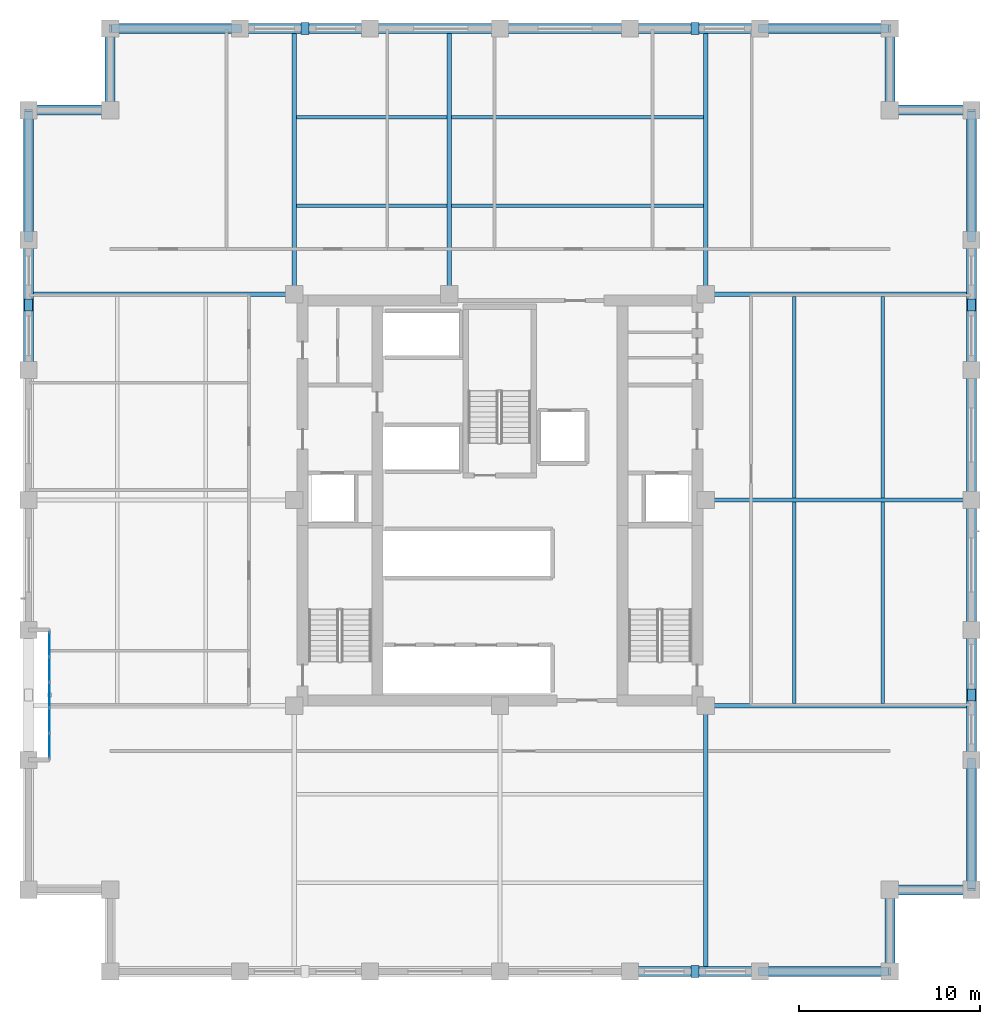
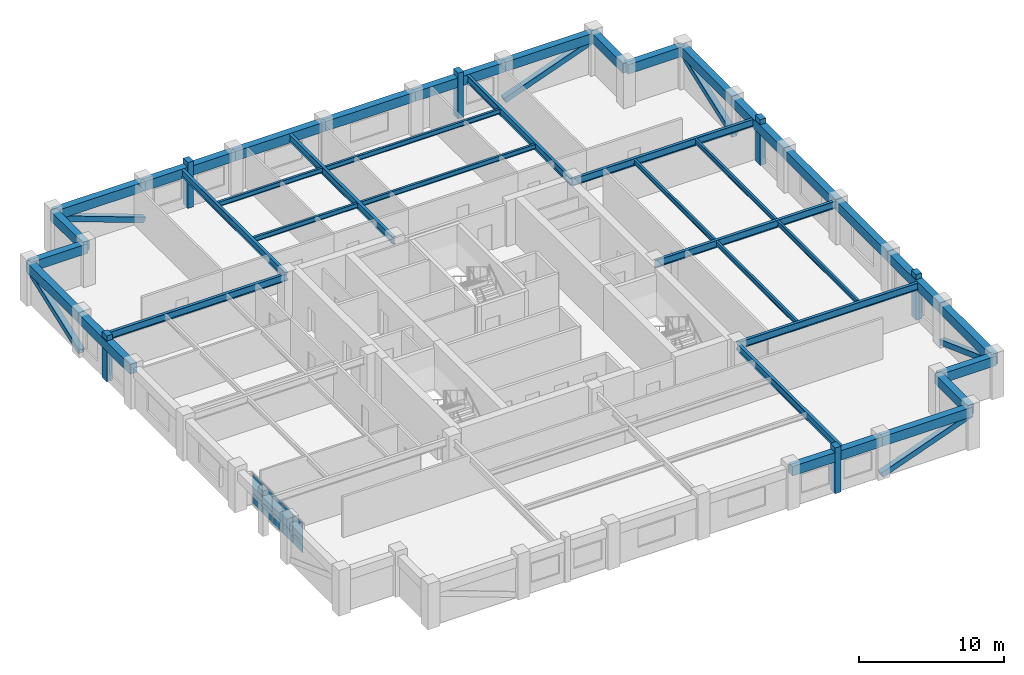
# One storey, part 5 of 14: 38 beams, 12 members, 10 plates, 1 element without a shape of its own.
"""IFC4 building model written with IfcOpenShell, lengths in metres."""

from ifc_helpers import new_model, si_unit, direction, frame, origin, origin_2d, place, context, subcontext, project, spatial, rectangle, hollow_rectangle, i_section, extrude, material, layer, layer_set, material_profile, profile_set, type_object, element, aggregate, save


model = new_model("IFC4")

# Units and contexts
model_context = context("Model", 3, precision=1e-05, world=origin(), true_north=direction((0.0, 1.0)))
body_context = subcontext(model_context, "Body", "Model", "MODEL_VIEW")
ifc_project = project(units=[si_unit("LENGTHUNIT", "METRE"), si_unit("AREAUNIT", "SQUARE_METRE"), si_unit("VOLUMEUNIT", "CUBIC_METRE"), si_unit("PLANEANGLEUNIT", "RADIAN"), si_unit("MASSUNIT", "GRAM", prefix="KILO")], contexts=[model_context])

# Site, building, storey
site_placement = place(None, origin())
site = spatial("IfcSite", under=ifc_project, at=site_placement, CompositionType="ELEMENT")
building_placement = place(site_placement, origin())
building = spatial("IfcBuilding", under=site, at=building_placement, Name="Nhamokura Convention Tower", CompositionType="ELEMENT")
storey_placement = place(building_placement, frame((0.0, 0.0, 172.199951171875)))
storey = spatial("IfcBuildingStorey", under=building, at=storey_placement, Name="L42", CompositionType="ELEMENT", Elevation=172.199951171875)

# Members
ifc_material_1 = material(Name="Bronze-pigmented precast concrete C45/55", Category="concrete")
ifc_material_profile_1 = material_profile(ifc_material_1, rectangle(XDim=0.449951171875, YDim=0.64990234375, at=origin_2d()))
ifc_profile_set_1 = profile_set([ifc_material_profile_1], Name="Bronze-pigmented precast concrete C45/55")
member_type_1 = type_object("IfcMemberType", Name="BronzePilaster_650", PredefinedType="USERDEFINED", material=ifc_profile_set_1)
for number, where, z_axis, x_axis, name in (
    (1, (42.75, 6.0, 0.0), (0.0, 0.0, 1.0), (1.0, 0.0, 0.0), "L42 Engaged Frame Pilaster SOUTH 4"),
    (2, (21.25, 58.0, 0.0), (0.0, 0.0, 1.0), (1.0, 0.0, 0.0), "L42 Engaged Frame Pilaster NORTH 1"),
    (3, (42.75, 58.0, 0.0), (0.0, 0.0, 1.0), (1.0, 0.0, 0.0), "L42 Engaged Frame Pilaster NORTH 4"),
    (4, (6.0, 42.75, 0.0), (0.0, 0.0, 1.0), (1.0, 0.0, 0.0), "L42 Engaged Frame Pilaster WEST 4"),
    (5, (58.0, 21.25, 0.0), (0.0, 0.0, 1.0), (1.0, 0.0, 0.0), "L42 Engaged Frame Pilaster EAST 1"),
    (6, (58.0, 42.75, 0.0), (0.0, 0.0, 1.0), (1.0, 0.0, 0.0), "L42 Engaged Frame Pilaster EAST 4"),
):
    element("IfcMember", number, at=place(storey_placement, frame(where, z_axis=z_axis, x_axis=x_axis)), inside=storey, type_object=member_type_1, Name=name, ObjectType="PILASTER_TRIM", PredefinedType="USERDEFINED", context=body_context, shape_type="SweptSolid", body=[
        extrude(rectangle(XDim=0.449951171875, YDim=0.64990234375, at=origin_2d()), origin(), (0.0, 0.0, 1.0), 3.85009765625),
    ])

# Beams
ifc_material_2 = material(Name="Steel ASTM A992 Gr 50", Category="steel")
ifc_material_profile_2 = material_profile(ifc_material_2, i_section(OverallWidth=0.177001953125, OverallDepth=0.403076171875, WebThickness=0.007568359375, FlangeThickness=0.010986328125, at=origin_2d()))
ifc_profile_set_2 = profile_set([ifc_material_profile_2], Name="Steel ASTM A992 Gr 50")
beam_type_1 = type_object("IfcBeamType", Name="FloorJoist_W410X53", PredefinedType="JOIST", material=ifc_profile_set_2)
beam_1_placement = place(storey_placement, frame((20.761962890625, 48.2333984375, 3.228515625), z_axis=(1.0, 0.0, 0.0), x_axis=(0.0, 1.0, 0.0)))
element("IfcBeam", 7, at=beam_1_placement, inside=storey, type_object=beam_type_1, Name="L42 Composite Floor Joist N1A", PredefinedType="JOIST", context=body_context, shape_type="SweptSolid", body=[
    extrude(i_section(OverallWidth=0.177001953125, OverallDepth=0.403076171875, WebThickness=0.007568359375, FlangeThickness=0.010986328125, at=origin_2d()), origin(), (0.0, 0.0, 1.0), 8.325927734375),
])
beam_2_placement = place(storey_placement, frame((29.31201171875, 48.2333984375, 3.228515625), z_axis=(1.0, 0.0, 0.0), x_axis=(0.0, 1.0, 0.0)))
element("IfcBeam", 8, at=beam_2_placement, inside=storey, type_object=beam_type_1, Name="L42 Composite Floor Joist N1B", PredefinedType="JOIST", context=body_context, shape_type="SweptSolid", body=[
    extrude(i_section(OverallWidth=0.177001953125, OverallDepth=0.403076171875, WebThickness=0.007568359375, FlangeThickness=0.010986328125, at=origin_2d()), origin(), (0.0, 0.0, 1.0), 13.926025390625),
])
beam_3_placement = place(storey_placement, frame((20.761962890625, 53.11669921875, 3.228515625), z_axis=(1.0, 0.0, 0.0), x_axis=(0.0, 1.0, 0.0)))
element("IfcBeam", 9, at=beam_3_placement, inside=storey, type_object=beam_type_1, Name="L42 Composite Floor Joist N2A", PredefinedType="JOIST", context=body_context, shape_type="SweptSolid", body=[
    extrude(i_section(OverallWidth=0.177001953125, OverallDepth=0.403076171875, WebThickness=0.007568359375, FlangeThickness=0.010986328125, at=origin_2d()), origin(), (0.0, 0.0, 1.0), 8.325927734375),
])
beam_4_placement = place(storey_placement, frame((29.31201171875, 53.11669921875, 3.228515625), z_axis=(1.0, 0.0, 0.0), x_axis=(0.0, 1.0, 0.0)))
element("IfcBeam", 10, at=beam_4_placement, inside=storey, type_object=beam_type_1, Name="L42 Composite Floor Joist N2B", PredefinedType="JOIST", context=body_context, shape_type="SweptSolid", body=[
    extrude(i_section(OverallWidth=0.177001953125, OverallDepth=0.403076171875, WebThickness=0.007568359375, FlangeThickness=0.010986328125, at=origin_2d()), origin(), (0.0, 0.0, 1.0), 13.926025390625),
])
for number, where, z_axis, x_axis, name in (
    (11, (48.2333984375, 20.761962890625, 3.228515625), (0.0, 1.0, 0.0), (-1.0, 0.0, 0.0), "L42 Composite Floor Joist E1A"),
    (12, (48.2333984375, 32.112060546875, 3.228515625), (0.0, 1.0, 0.0), (-1.0, 0.0, 0.0), "L42 Composite Floor Joist E1B"),
    (13, (53.11669921875, 20.761962890625, 3.228515625), (0.0, 1.0, 0.0), (-1.0, 0.0, 0.0), "L42 Composite Floor Joist E2A"),
    (14, (53.11669921875, 32.112060546875, 3.228515625), (0.0, 1.0, 0.0), (-1.0, 0.0, 0.0), "L42 Composite Floor Joist E2B"),
):
    element("IfcBeam", number, at=place(storey_placement, frame(where, z_axis=z_axis, x_axis=x_axis)), inside=storey, type_object=beam_type_1, Name=name, PredefinedType="JOIST", context=body_context, shape_type="SweptSolid", body=[
        extrude(i_section(OverallWidth=0.177001953125, OverallDepth=0.403076171875, WebThickness=0.007568359375, FlangeThickness=0.010986328125, at=origin_2d()), origin(), (0.0, 0.0, 1.0), 11.1259765625),
    ])
ifc_material_3 = material(Name="Steel ASTM A992 Gr 50", Category="steel")
ifc_material_profile_3 = material_profile(ifc_material_3, i_section(OverallWidth=0.22802734375, OverallDepth=0.60791015625, WebThickness=0.01123046875, FlangeThickness=0.017333984375, at=origin_2d()))
ifc_profile_set_3 = profile_set([ifc_material_profile_3], Name="Steel ASTM A992 Gr 50")
beam_type_2 = type_object("IfcBeamType", Name="PrimaryGirder_W610X113", PredefinedType="BEAM", material=ifc_profile_set_3)
for number, where, z_axis, x_axis, name in (
    (15, (43.35009765625, 6.0, 3.1259765625), (0.0, 1.0, 0.0), (-1.0, 0.0, 0.0), "L42 Primary Floor Girder PG-S3"),
    (16, (20.64990234375, 43.35009765625, 3.1259765625), (0.0, 1.0, 0.0), (-1.0, 0.0, 0.0), "L42 Primary Floor Girder PG-N1"),
    (17, (29.199951171875, 43.35009765625, 3.1259765625), (0.0, 1.0, 0.0), (-1.0, 0.0, 0.0), "L42 Primary Floor Girder PG-N2"),
    (18, (43.35009765625, 43.35009765625, 3.1259765625), (0.0, 1.0, 0.0), (-1.0, 0.0, 0.0), "L42 Primary Floor Girder PG-N3"),
    (19, (6.0, 43.35009765625, 3.1259765625), (1.0, 0.0, 0.0), (0.0, 1.0, 0.0), "L42 Primary Floor Girder PG-W3"),
    (20, (43.35009765625, 20.64990234375, 3.1259765625), (1.0, 0.0, 0.0), (0.0, 1.0, 0.0), "L42 Primary Floor Girder PG-E1"),
    (21, (43.35009765625, 32.0, 3.1259765625), (1.0, 0.0, 0.0), (0.0, 1.0, 0.0), "L42 Primary Floor Girder PG-E2"),
    (22, (43.35009765625, 43.35009765625, 3.1259765625), (1.0, 0.0, 0.0), (0.0, 1.0, 0.0), "L42 Primary Floor Girder PG-E3"),
):
    element("IfcBeam", number, at=place(storey_placement, frame(where, z_axis=z_axis, x_axis=x_axis)), inside=storey, type_object=beam_type_2, Name=name, PredefinedType="BEAM", context=body_context, shape_type="SweptSolid", body=[
        extrude(i_section(OverallWidth=0.22802734375, OverallDepth=0.60791015625, WebThickness=0.01123046875, FlangeThickness=0.017333984375, at=origin_2d()), origin(), (0.0, 0.0, 1.0), 14.64990234375),
    ])

# Members
ifc_material_4 = material(Name="Steel ASTM A572 Gr 50", Category="steel")
ifc_material_profile_4 = material_profile(ifc_material_4, hollow_rectangle(XDim=0.449951171875, YDim=0.449951171875, WallThickness=0.02197265625, at=origin_2d()))
ifc_profile_set_4 = profile_set([ifc_material_profile_4], Name="Steel ASTM A572 Gr 50")
member_type_2 = type_object("IfcMemberType", Name="TubeBrace_HSS450", PredefinedType="BRACE", material=ifc_profile_set_4)
for number, where, z_axis, x_axis, name in (
    (23, (46.333251953125, 6.0, 0.150146484375), (0.938788424992, 0.0, 0.344494256993), (0.0, 1.0, 0.0), "L42 Perimeter Tube Brace SOUTH Bay 5"),
    (24, (17.666748046875, 58.0, 0.150146484375), (-0.938788424992, 0.0, 0.344494256993), (0.0, -1.0, 0.0), "L42 Perimeter Tube Brace NORTH Bay 0"),
    (25, (46.333251953125, 58.0, 0.150146484375), (0.938788424992, 0.0, 0.344494256993), (0.0, 1.0, 0.0), "L42 Perimeter Tube Brace NORTH Bay 5"),
    (26, (6.0, 46.333251953125, 0.150146484375), (0.0, 0.938788424992, 0.344494256993), (-1.0, 0.0, 0.0), "L42 Perimeter Tube Brace WEST Bay 5"),
    (27, (58.0, 17.666748046875, 0.150146484375), (0.0, -0.938788424992, 0.344494256993), (1.0, 0.0, 0.0), "L42 Perimeter Tube Brace EAST Bay 0"),
    (28, (58.0, 46.333251953125, 0.150146484375), (0.0, 0.938788424992, 0.344494256993), (-1.0, 0.0, 0.0), "L42 Perimeter Tube Brace EAST Bay 5"),
):
    element("IfcMember", number, at=place(storey_placement, frame(where, z_axis=z_axis, x_axis=x_axis)), inside=storey, type_object=member_type_2, Name=name, PredefinedType="BRACE", context=body_context, shape_type="SweptSolid", body=[
        extrude(hollow_rectangle(XDim=0.449951171875, YDim=0.449951171875, WallThickness=0.02197265625, at=origin_2d()), origin(), (0.0, 0.0, 1.0), 7.634033203125),
    ])

# Beams
ifc_material_5 = material(Name="Concrete C50/60", Category="concrete")
ifc_material_profile_5 = material_profile(ifc_material_5, rectangle(XDim=0.550048828125, YDim=0.800048828125, at=origin_2d()))
ifc_profile_set_5 = profile_set([ifc_material_profile_5], Name="Concrete C50/60")
beam_type_3 = type_object("IfcBeamType", Name="TubeSpandrel_800", PredefinedType="SPANDREL", material=ifc_profile_set_5)
beam_5_placement = place(storey_placement, frame((39.166748046875, 6.0, 3.030029296875), z_axis=(1.0, 0.0, 0.0), x_axis=(0.0, 1.0, 0.0)))
element("IfcBeam", 29, at=beam_5_placement, inside=storey, type_object=beam_type_3, Name="L42 Perimeter Spandrel SOUTH 5", PredefinedType="SPANDREL", context=body_context, shape_type="SweptSolid", body=[
    extrude(rectangle(XDim=0.550048828125, YDim=0.800048828125, at=origin_2d()), origin(), (0.0, 0.0, 1.0), 7.16650390625),
])
for number, where, z_axis, x_axis, name in (
    (30, (46.333251953125, 6.0, 3.030029296875), (1.0, 0.0, 0.0), (0.0, 1.0, 0.0), "L42 Perimeter Spandrel SOUTH 6"),
    (31, (10.5, 58.0, 3.030029296875), (1.0, 0.0, 0.0), (0.0, 1.0, 0.0), "L42 Perimeter Spandrel NORTH 1"),
):
    element("IfcBeam", number, at=place(storey_placement, frame(where, z_axis=z_axis, x_axis=x_axis)), inside=storey, type_object=beam_type_3, Name=name, PredefinedType="SPANDREL", context=body_context, shape_type="SweptSolid", body=[
        extrude(rectangle(XDim=0.550048828125, YDim=0.800048828125, at=origin_2d()), origin(), (0.0, 0.0, 1.0), 7.166748046875),
    ])
beam_6_placement = place(storey_placement, frame((17.666748046875, 58.0, 3.030029296875), z_axis=(1.0, 0.0, 0.0), x_axis=(0.0, 1.0, 0.0)))
element("IfcBeam", 32, at=beam_6_placement, inside=storey, type_object=beam_type_3, Name="L42 Perimeter Spandrel NORTH 2", PredefinedType="SPANDREL", context=body_context, shape_type="SweptSolid", body=[
    extrude(rectangle(XDim=0.550048828125, YDim=0.800048828125, at=origin_2d()), origin(), (0.0, 0.0, 1.0), 7.16650390625),
])
for number, where, z_axis, x_axis, name in (
    (33, (24.833251953125, 58.0, 3.030029296875), (1.0, 0.0, 0.0), (0.0, 1.0, 0.0), "L42 Perimeter Spandrel NORTH 3"),
    (34, (32.0, 58.0, 3.030029296875), (1.0, 0.0, 0.0), (0.0, 1.0, 0.0), "L42 Perimeter Spandrel NORTH 4"),
):
    element("IfcBeam", number, at=place(storey_placement, frame(where, z_axis=z_axis, x_axis=x_axis)), inside=storey, type_object=beam_type_3, Name=name, PredefinedType="SPANDREL", context=body_context, shape_type="SweptSolid", body=[
        extrude(rectangle(XDim=0.550048828125, YDim=0.800048828125, at=origin_2d()), origin(), (0.0, 0.0, 1.0), 7.166748046875),
    ])
beam_7_placement = place(storey_placement, frame((39.166748046875, 58.0, 3.030029296875), z_axis=(1.0, 0.0, 0.0), x_axis=(0.0, 1.0, 0.0)))
element("IfcBeam", 35, at=beam_7_placement, inside=storey, type_object=beam_type_3, Name="L42 Perimeter Spandrel NORTH 5", PredefinedType="SPANDREL", context=body_context, shape_type="SweptSolid", body=[
    extrude(rectangle(XDim=0.550048828125, YDim=0.800048828125, at=origin_2d()), origin(), (0.0, 0.0, 1.0), 7.16650390625),
])
beam_8_placement = place(storey_placement, frame((46.333251953125, 58.0, 3.030029296875), z_axis=(1.0, 0.0, 0.0), x_axis=(0.0, 1.0, 0.0)))
element("IfcBeam", 36, at=beam_8_placement, inside=storey, type_object=beam_type_3, Name="L42 Perimeter Spandrel NORTH 6", PredefinedType="SPANDREL", context=body_context, shape_type="SweptSolid", body=[
    extrude(rectangle(XDim=0.550048828125, YDim=0.800048828125, at=origin_2d()), origin(), (0.0, 0.0, 1.0), 7.166748046875),
])
beam_9_placement = place(storey_placement, frame((6.0, 39.166748046875, 3.030029296875), z_axis=(0.0, 1.0, 0.0), x_axis=(-1.0, 0.0, 0.0)))
element("IfcBeam", 37, at=beam_9_placement, inside=storey, type_object=beam_type_3, Name="L42 Perimeter Spandrel WEST 5", PredefinedType="SPANDREL", context=body_context, shape_type="SweptSolid", body=[
    extrude(rectangle(XDim=0.550048828125, YDim=0.800048828125, at=origin_2d()), origin(), (0.0, 0.0, 1.0), 7.16650390625),
])
for number, where, z_axis, x_axis, name in (
    (38, (6.0, 46.333251953125, 3.030029296875), (0.0, 1.0, 0.0), (-1.0, 0.0, 0.0), "L42 Perimeter Spandrel WEST 6"),
    (39, (58.0, 10.5, 3.030029296875), (0.0, 1.0, 0.0), (-1.0, 0.0, 0.0), "L42 Perimeter Spandrel EAST 1"),
):
    element("IfcBeam", number, at=place(storey_placement, frame(where, z_axis=z_axis, x_axis=x_axis)), inside=storey, type_object=beam_type_3, Name=name, PredefinedType="SPANDREL", context=body_context, shape_type="SweptSolid", body=[
        extrude(rectangle(XDim=0.550048828125, YDim=0.800048828125, at=origin_2d()), origin(), (0.0, 0.0, 1.0), 7.166748046875),
    ])
beam_10_placement = place(storey_placement, frame((58.0, 17.666748046875, 3.030029296875), z_axis=(0.0, 1.0, 0.0), x_axis=(-1.0, 0.0, 0.0)))
element("IfcBeam", 40, at=beam_10_placement, inside=storey, type_object=beam_type_3, Name="L42 Perimeter Spandrel EAST 2", PredefinedType="SPANDREL", context=body_context, shape_type="SweptSolid", body=[
    extrude(rectangle(XDim=0.550048828125, YDim=0.800048828125, at=origin_2d()), origin(), (0.0, 0.0, 1.0), 7.16650390625),
])
for number, where, z_axis, x_axis, name in (
    (41, (58.0, 24.833251953125, 3.030029296875), (0.0, 1.0, 0.0), (-1.0, 0.0, 0.0), "L42 Perimeter Spandrel EAST 3"),
    (42, (58.0, 32.0, 3.030029296875), (0.0, 1.0, 0.0), (-1.0, 0.0, 0.0), "L42 Perimeter Spandrel EAST 4"),
):
    element("IfcBeam", number, at=place(storey_placement, frame(where, z_axis=z_axis, x_axis=x_axis)), inside=storey, type_object=beam_type_3, Name=name, PredefinedType="SPANDREL", context=body_context, shape_type="SweptSolid", body=[
        extrude(rectangle(XDim=0.550048828125, YDim=0.800048828125, at=origin_2d()), origin(), (0.0, 0.0, 1.0), 7.166748046875),
    ])
beam_11_placement = place(storey_placement, frame((58.0, 39.166748046875, 3.030029296875), z_axis=(0.0, 1.0, 0.0), x_axis=(-1.0, 0.0, 0.0)))
element("IfcBeam", 43, at=beam_11_placement, inside=storey, type_object=beam_type_3, Name="L42 Perimeter Spandrel EAST 5", PredefinedType="SPANDREL", context=body_context, shape_type="SweptSolid", body=[
    extrude(rectangle(XDim=0.550048828125, YDim=0.800048828125, at=origin_2d()), origin(), (0.0, 0.0, 1.0), 7.16650390625),
])
beam_12_placement = place(storey_placement, frame((58.0, 46.333251953125, 3.030029296875), z_axis=(0.0, 1.0, 0.0), x_axis=(-1.0, 0.0, 0.0)))
element("IfcBeam", 44, at=beam_12_placement, inside=storey, type_object=beam_type_3, Name="L42 Perimeter Spandrel EAST 6", PredefinedType="SPANDREL", context=body_context, shape_type="SweptSolid", body=[
    extrude(rectangle(XDim=0.550048828125, YDim=0.800048828125, at=origin_2d()), origin(), (0.0, 0.0, 1.0), 7.166748046875),
])
for number, where, z_axis, x_axis, name in (
    (45, (53.5, 6.0, 3.030029296875), (0.0, 1.0, 0.0), (-1.0, 0.0, 0.0), "L42 Notch Spandrel SE1"),
    (46, (53.5, 10.5, 3.030029296875), (1.0, 0.0, 0.0), (0.0, 1.0, 0.0), "L42 Notch Spandrel SE2"),
    (47, (58.0, 53.5, 3.030029296875), (-1.0, 0.0, 0.0), (0.0, -1.0, 0.0), "L42 Notch Spandrel NE1"),
    (48, (53.5, 53.5, 3.030029296875), (0.0, 1.0, 0.0), (-1.0, 0.0, 0.0), "L42 Notch Spandrel NE2"),
    (49, (10.5, 58.0, 3.030029296875), (0.0, -1.0, 0.0), (1.0, 0.0, 0.0), "L42 Notch Spandrel NW1"),
    (50, (10.5, 53.5, 3.030029296875), (-1.0, 0.0, 0.0), (0.0, -1.0, 0.0), "L42 Notch Spandrel NW2"),
):
    element("IfcBeam", number, at=place(storey_placement, frame(where, z_axis=z_axis, x_axis=x_axis)), inside=storey, type_object=beam_type_3, Name=name, PredefinedType="SPANDREL", context=body_context, shape_type="SweptSolid", body=[
        extrude(rectangle(XDim=0.550048828125, YDim=0.800048828125, at=origin_2d()), origin(), (0.0, 0.0, 1.0), 4.5),
    ])

# Curtain wall, plates
ifc_material_6 = material(Name="Anodised bronze aluminium AA6063-T6", Category="aluminium")
ifc_layer_1 = layer(ifc_material_6, 0.159912109375)
ifc_layer_set_1 = layer_set([ifc_layer_1], Name="CWSystem_ScaleSlot_Zone2")
curtain_wall_type = type_object("IfcCurtainWallType", Name="CWSystem_ScaleSlot_Zone2", PredefinedType="NOTDEFINED", material=ifc_layer_set_1)
curtain_wall_placement = place(storey_placement, origin())
curtain_wall = element("IfcCurtainWall", 51, at=curtain_wall_placement, inside=storey, type_object=curtain_wall_type, Name="L42 Curtain Wall ENV-L42-SLOT-W1", PredefinedType="NOTDEFINED")
ifc_material_7 = material(Name="Solar-control bronze low-E double glass", Category="glass")
ifc_layer_2 = layer(ifc_material_7, 0.035888671875)
ifc_layer_set_2 = layer_set([ifc_layer_2], Name="CWGlazedPanel_2")
plate_type = type_object("IfcPlateType", Name="CWGlazedPanel_2", PredefinedType="CURTAIN_PANEL", material=ifc_layer_set_2)
plate_1_placement = place(storey_placement, frame((7.14990234375, 18.447509765625, 0.06494140625), z_axis=(0.0, 0.0, 1.0), x_axis=(0.0, 1.0, 0.0)))
plate_1 = element("IfcPlate", 52, at=plate_1_placement, type_object=plate_type, Name="CW-04 panel 1.1", PredefinedType="CURTAIN_PANEL", context=body_context, shape_type="SweptSolid", body=[
    extrude(rectangle(XDim=1.311767578125, YDim=0.035888671875, at=origin_2d()), origin(), (0.0, 0.0, 1.0), 0.8525390625),
])
plate_2_placement = place(storey_placement, frame((7.14990234375, 18.447509765625, 0.982421875), z_axis=(0.0, 0.0, 1.0), x_axis=(0.0, 1.0, 0.0)))
plate_2 = element("IfcPlate", 53, at=plate_2_placement, type_object=plate_type, Name="CW-04 panel 1.2", PredefinedType="CURTAIN_PANEL", context=body_context, shape_type="SweptSolid", body=[
    extrude(rectangle(XDim=1.311767578125, YDim=0.035888671875, at=origin_2d()), origin(), (0.0, 0.0, 1.0), 1.58251953125),
])
plate_3_placement = place(storey_placement, frame((7.14990234375, 19.840576171875, 0.06494140625), z_axis=(0.0, 0.0, 1.0), x_axis=(0.0, 1.0, 0.0)))
plate_3 = element("IfcPlate", 54, at=plate_3_placement, type_object=plate_type, Name="CW-04 panel 2.1", PredefinedType="CURTAIN_PANEL", context=body_context, shape_type="SweptSolid", body=[
    extrude(rectangle(XDim=1.34423828125, YDim=0.035888671875, at=origin_2d()), origin(), (0.0, 0.0, 1.0), 0.8525390625),
])
plate_4_placement = place(storey_placement, frame((7.14990234375, 19.840576171875, 0.982421875), z_axis=(0.0, 0.0, 1.0), x_axis=(0.0, 1.0, 0.0)))
plate_4 = element("IfcPlate", 55, at=plate_4_placement, type_object=plate_type, Name="CW-04 panel 2.2", PredefinedType="CURTAIN_PANEL", context=body_context, shape_type="SweptSolid", body=[
    extrude(rectangle(XDim=1.34423828125, YDim=0.035888671875, at=origin_2d()), origin(), (0.0, 0.0, 1.0), 1.58251953125),
])
plate_5_placement = place(storey_placement, frame((7.14990234375, 21.25, 0.06494140625), z_axis=(0.0, 0.0, 1.0), x_axis=(0.0, 1.0, 0.0)))
plate_5 = element("IfcPlate", 56, at=plate_5_placement, type_object=plate_type, Name="CW-04 panel 3.1", PredefinedType="CURTAIN_PANEL", context=body_context, shape_type="SweptSolid", body=[
    extrude(rectangle(XDim=1.34423828125, YDim=0.035888671875, at=origin_2d()), origin(), (0.0, 0.0, 1.0), 0.8525390625),
])
plate_6_placement = place(storey_placement, frame((7.14990234375, 21.25, 0.982421875), z_axis=(0.0, 0.0, 1.0), x_axis=(0.0, 1.0, 0.0)))
plate_6 = element("IfcPlate", 57, at=plate_6_placement, type_object=plate_type, Name="CW-04 panel 3.2", PredefinedType="CURTAIN_PANEL", context=body_context, shape_type="SweptSolid", body=[
    extrude(rectangle(XDim=1.34423828125, YDim=0.035888671875, at=origin_2d()), origin(), (0.0, 0.0, 1.0), 1.58251953125),
])
plate_7_placement = place(storey_placement, frame((7.14990234375, 22.659423828125, 0.06494140625), z_axis=(0.0, 0.0, 1.0), x_axis=(0.0, 1.0, 0.0)))
plate_7 = element("IfcPlate", 58, at=plate_7_placement, type_object=plate_type, Name="CW-04 panel 4.1", PredefinedType="CURTAIN_PANEL", context=body_context, shape_type="SweptSolid", body=[
    extrude(rectangle(XDim=1.34423828125, YDim=0.035888671875, at=origin_2d()), origin(), (0.0, 0.0, 1.0), 0.8525390625),
])
plate_8_placement = place(storey_placement, frame((7.14990234375, 22.659423828125, 0.982421875), z_axis=(0.0, 0.0, 1.0), x_axis=(0.0, 1.0, 0.0)))
plate_8 = element("IfcPlate", 59, at=plate_8_placement, type_object=plate_type, Name="CW-04 panel 4.2", PredefinedType="CURTAIN_PANEL", context=body_context, shape_type="SweptSolid", body=[
    extrude(rectangle(XDim=1.34423828125, YDim=0.035888671875, at=origin_2d()), origin(), (0.0, 0.0, 1.0), 1.58251953125),
])
plate_9_placement = place(storey_placement, frame((7.14990234375, 24.052490234375, 0.06494140625), z_axis=(0.0, 0.0, 1.0), x_axis=(0.0, 1.0, 0.0)))
plate_9 = element("IfcPlate", 60, at=plate_9_placement, type_object=plate_type, Name="CW-04 panel 5.1", PredefinedType="CURTAIN_PANEL", context=body_context, shape_type="SweptSolid", body=[
    extrude(rectangle(XDim=1.311767578125, YDim=0.035888671875, at=origin_2d()), origin(), (0.0, 0.0, 1.0), 0.8525390625),
])
plate_10_placement = place(storey_placement, frame((7.14990234375, 24.052490234375, 0.982421875), z_axis=(0.0, 0.0, 1.0), x_axis=(0.0, 1.0, 0.0)))
plate_10 = element("IfcPlate", 61, at=plate_10_placement, type_object=plate_type, Name="CW-04 panel 5.2", PredefinedType="CURTAIN_PANEL", context=body_context, shape_type="SweptSolid", body=[
    extrude(rectangle(XDim=1.311767578125, YDim=0.035888671875, at=origin_2d()), origin(), (0.0, 0.0, 1.0), 1.58251953125),
])
aggregate(curtain_wall, [plate_1, plate_2, plate_3, plate_4, plate_5, plate_6, plate_7, plate_8, plate_9, plate_10])

save(model, "model.ifc")
